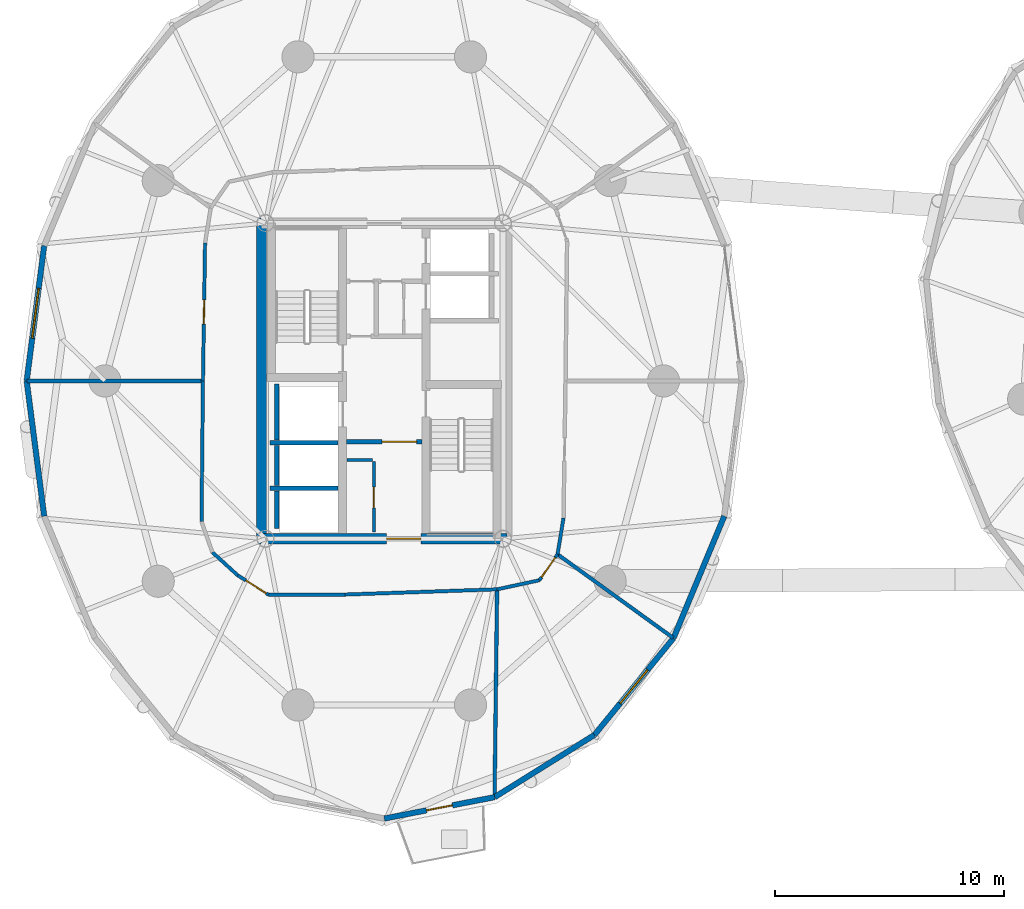
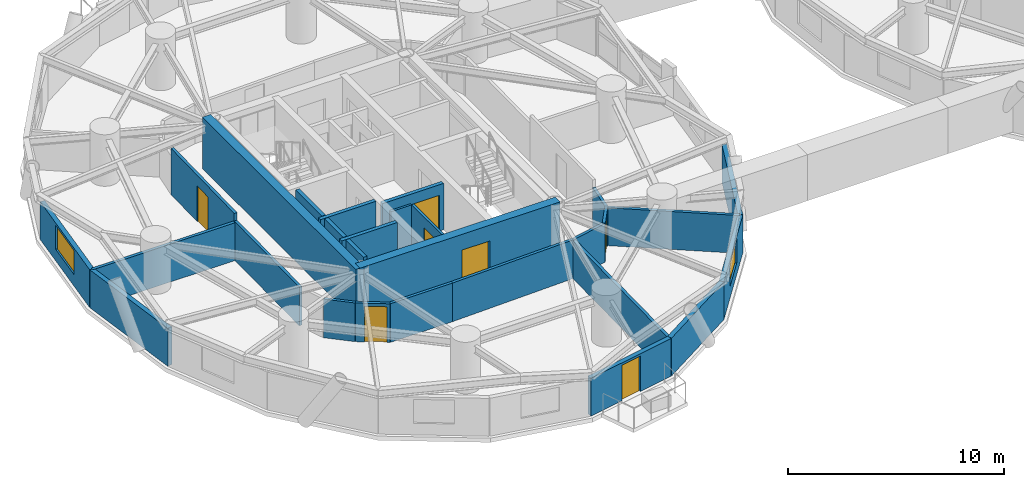
# One storey, part 10 of 18: 28 walls, 7 doors, 2 windows, 9 openings.
"""IFC4 building model written with IfcOpenShell, lengths in metres."""

from ifc_helpers import new_model, si_unit, direction, frame, frame_2d, origin, place, context, subcontext, project, spatial, rectangle, extrude, source, transform, mapped, material, layer, layer_set, type_object, element, fill, save


model = new_model("IFC4")

# Units and contexts
model_context = context("Model", 3, precision=1e-05, world=origin(), true_north=direction((0.0, 1.0)))
body_context = subcontext(model_context, "Body", "Model", "MODEL_VIEW")
ifc_project = project(units=[si_unit("LENGTHUNIT", "METRE"), si_unit("AREAUNIT", "SQUARE_METRE"), si_unit("VOLUMEUNIT", "CUBIC_METRE"), si_unit("PLANEANGLEUNIT", "RADIAN"), si_unit("MASSUNIT", "GRAM", prefix="KILO")], contexts=[model_context])

# Site, building, storey
site_placement = place(None, origin())
site = spatial("IfcSite", under=ifc_project, at=site_placement, CompositionType="ELEMENT")
building_placement = place(site_placement, origin())
building = spatial("IfcBuilding", under=site, at=building_placement, Name="Cununo Teusaquillo Station Towers", CompositionType="ELEMENT")
storey_placement = place(building_placement, frame((0.0, 0.0, 122.530029296875)))
storey = spatial("IfcBuildingStorey", under=building, at=storey_placement, Name="L39", CompositionType="ELEMENT", Elevation=122.530029296875)

# Walls
ifc_material_1 = material(Name="Concrete C50/60", Category="concrete")
ifc_layer_1 = layer(ifc_material_1, 0.199951171875)
ifc_layer_set_1 = layer_set([ifc_layer_1], Name="Concrete C50/60")
wall_type_1 = type_object("IfcWallType", Name="WL-CORE-200", PredefinedType="SHEAR", material=ifc_layer_set_1)
wall_1_placement = place(storey_placement, frame((11.52001953125, 21.800048828125, 0.0), z_axis=(0.0, 0.0, 1.0), x_axis=(1.0, 0.0, 0.0)))
element("IfcWall", 1, at=wall_1_placement, inside=storey, type_object=wall_type_1, Name="L39 Tower A Firefighting Lift Shaft South Shear Wall", PredefinedType="SHEAR", context=body_context, shape_type="SweptSolid", body=[
    extrude(rectangle(XDim=2.969970703125, YDim=0.199951171875, at=frame_2d((1.48486328125, 0.0))), origin(), (0.0, 0.0, 1.0), 2.909912109375),
])
wall_2_placement = place(storey_placement, frame((11.820068359375, 21.919921875, 0.0), z_axis=(0.0, 0.0, 1.0), x_axis=(0.0, 1.0, 0.0)))
element("IfcWall", 2, at=wall_2_placement, inside=storey, type_object=wall_type_1, Name="L39 Tower A Firefighting Lift Shaft Rear Shear Wall", PredefinedType="SHEAR", context=body_context, shape_type="SweptSolid", body=[
    extrude(rectangle(XDim=2.440185546875, YDim=0.199951171875, at=frame_2d((1.22021484375, 0.0))), origin(), (0.0, 0.0, 1.0), 2.909912109375),
])
wall_3_placement = place(storey_placement, frame((11.52001953125, 19.824951171875, 0.0), z_axis=(0.0, 0.0, 1.0), x_axis=(1.0, 0.0, 0.0)))
element("IfcWall", 3, at=wall_3_placement, inside=storey, type_object=wall_type_1, Name="L39 Tower A High-Rise Lift Hoistway Divider Shear Wall", PredefinedType="SHEAR", context=body_context, shape_type="SweptSolid", body=[
    extrude(rectangle(XDim=2.969970703125, YDim=0.199951171875, at=frame_2d((1.48486328125, 0.0))), origin(), (0.0, 0.0, 1.0), 2.909912109375),
])
wall_4_placement = place(storey_placement, frame((11.820068359375, 19.945068359375, 0.0), z_axis=(0.0, 0.0, 1.0), x_axis=(0.0, 1.0, 0.0)))
element("IfcWall", 4, at=wall_4_placement, inside=storey, type_object=wall_type_1, Name="L39 Tower A High-Rise Lift 2 Shaft Rear Shear Wall", PredefinedType="SHEAR", context=body_context, shape_type="SweptSolid", body=[
    extrude(rectangle(XDim=1.73486328125, YDim=0.199951171875, at=frame_2d((0.867431640625, 0.0))), origin(), (0.0, 0.0, 1.0), 2.909912109375),
])
wall_5_placement = place(storey_placement, frame((11.820068359375, 18.070068359375, 0.0), z_axis=(0.0, 0.0, 1.0), x_axis=(0.0, 1.0, 0.0)))
element("IfcWall", 5, at=wall_5_placement, inside=storey, type_object=wall_type_1, Name="L39 Tower A High-Rise Lift 1 Shaft Rear Shear Wall", PredefinedType="SHEAR", context=body_context, shape_type="SweptSolid", body=[
    extrude(rectangle(XDim=1.635009765625, YDim=0.199951171875, at=frame_2d((0.8173828125, 0.0))), origin(), (0.0, 0.0, 1.0), 2.909912109375),
])
ifc_material_2 = material(Name="Concrete C60/75", Category="concrete")
ifc_layer_2 = layer(ifc_material_2, 0.449951171875)
ifc_layer_set_2 = layer_set([ifc_layer_2], Name="Concrete C60/75")
wall_type_2 = type_object("IfcWallType", Name="WL-CORE-450", PredefinedType="SHEAR", material=ifc_layer_set_2)
wall_6_placement = place(storey_placement, frame((11.14990234375, 17.39990234375, 0.0), z_axis=(0.0, 0.0, 1.0), x_axis=(0.0, 1.0, 0.0)))
element("IfcWall", 6, at=wall_6_placement, inside=storey, type_object=wall_type_2, Name="L39 Tower A Core Shear Wall W", PredefinedType="SHEAR", context=body_context, shape_type="SweptSolid", body=[
    extrude(rectangle(XDim=14.2001953125, YDim=0.449951171875, at=frame_2d((7.10009765625, 0.0))), origin(), (0.0, 0.0, 1.0), 2.909912109375),
])

# Wall, opening, door
wall_7_placement = place(storey_placement, frame((11.14990234375, 17.625, 0.0), z_axis=(0.0, 0.0, 1.0), x_axis=(1.0, 0.0, 0.0)))
wall_7 = element("IfcWall", 7, at=wall_7_placement, inside=storey, type_object=wall_type_2, Name="L39 Tower A Core Shear Wall S", PredefinedType="SHEAR", context=body_context, shape_type="SweptSolid", body=[
    extrude(rectangle(XDim=10.7001953125, YDim=0.449951171875, at=frame_2d((5.35009765625, 0.0))), origin(), (0.0, 0.0, 1.0), 2.909912109375),
])
shared_shape_1 = source(origin(), body_context, "Body", "SweptSolid", [
    extrude(rectangle(XDim=1.5, YDim=2.02001953125, at=frame_2d((0.75, 1.010009765625))), frame((0.0, 0.23486328125, 0.0), z_axis=(0.0, -1.0, 0.0), x_axis=(1.0, 0.0, 0.0)), (0.0, 0.0, 1.0), 0.469970703125),
])
opening_1_placement = place(wall_7_placement, frame((5.449951171875, 0.0, 0.0)))
opening_1 = element("IfcOpeningElement", 8, at=opening_1_placement, cuts=wall_7, Name="Opening D-LB1", PredefinedType="OPENING", context=body_context, shape_type="MappedRepresentation", body=[
    mapped(shared_shape_1, transform((0.0, 0.0, 0.0), x_axis=(1.0, 0.0, 0.0), y_axis=(0.0, 1.0, 0.0), z_axis=(0.0, 0.0, 1.0), scale=1.0)),
])
ifc_material_3 = material(Name="Galvanised fire-rated hollow steel door assembly", Category="steel")
door_type_1 = type_object("IfcDoorType", Name="DR-LOBBY-1500", OperationType="DOUBLE_DOOR_SINGLE_SWING", PredefinedType="DOOR", material=ifc_material_3)
shared_shape_2 = source(origin(), body_context, "Body", "SweptSolid", [
    extrude(rectangle(XDim=1.5, YDim=2.02001953125, at=frame_2d((0.75, 1.010009765625))), frame((0.0, 0.02490234375, 0.0), z_axis=(0.0, -1.0, 0.0), x_axis=(1.0, 0.0, 0.0)), (0.0, 0.0, 1.0), 0.050048828125),
])
door_1_placement = place(opening_1_placement, origin())
door_1 = element("IfcDoor", 9, at=door_1_placement, inside=storey, type_object=door_type_1, Name="L39 Tower A South Core Lift Lobby Door", OperationType="DOUBLE_DOOR_SINGLE_SWING", OverallHeight=2.02001953125, OverallWidth=1.5, PredefinedType="DOOR", context=body_context, shape_type="MappedRepresentation", body=[
    mapped(shared_shape_2, transform((0.0, 0.0, 0.0), x_axis=(1.0, 0.0, 0.0), y_axis=(0.0, 1.0, 0.0), z_axis=(0.0, 0.0, 1.0), scale=1.0)),
])
fill(opening_1, door_1)

# Wall, opening, window
ifc_material_4 = material(Name="Precast concrete C40/50", Category="concrete")
ifc_layer_3 = layer(ifc_material_4, 0.239990234375)
ifc_layer_set_3 = layer_set([ifc_layer_3], Name="Precast concrete C40/50")
wall_type_3 = type_object("IfcWallType", Name="WL-EXT-240", PredefinedType="SOLIDWALL", material=ifc_layer_set_3)
wall_8_placement = place(storey_placement, frame((0.9189453125, 24.5, 0.0), z_axis=(0.0, 0.0, 1.0), x_axis=(0.128351991996, 0.991728675672, 0.0)))
wall_8 = element("IfcWall", 10, at=wall_8_placement, inside=storey, type_object=wall_type_3, Name="L39 Tower A Exterior Facade Wall C09", PredefinedType="SOLIDWALL", context=body_context, shape_type="SweptSolid", body=[
    extrude(rectangle(XDim=5.942138671875, YDim=0.239990234375, at=frame_2d((2.97119140625, 0.0))), origin(), (0.0, 0.0, 1.0), 2.138916015625),
])
shared_shape_3 = source(origin(), body_context, "Body", "SweptSolid", [
    extrude(rectangle(XDim=2.199951171875, YDim=1.35009765625, at=frame_2d((1.10009765625, 0.675048828125))), frame((0.0, 0.1298828125, 0.0), z_axis=(0.0, -1.0, 0.0), x_axis=(1.0, 0.0, 0.0)), (0.0, 0.0, 1.0), 0.260009765625),
])
opening_2_placement = place(wall_8_placement, frame((1.87109375, 0.0, 0.64990234375)))
opening_2 = element("IfcOpeningElement", 11, at=opening_2_placement, cuts=wall_8, Name="Opening WN-01", PredefinedType="OPENING", context=body_context, shape_type="MappedRepresentation", body=[
    mapped(shared_shape_3, transform((0.0, 0.0, 0.0), x_axis=(1.0, 0.0, 0.0), y_axis=(0.0, 1.0, 0.0), z_axis=(0.0, 0.0, 1.0), scale=1.0)),
])
ifc_material_5 = material(Name="Ceramic-fritted dark low-E double glazing", Category="glass")
window_type_1 = type_object("IfcWindowType", Name="WIN-FRIT-2200", PartitioningType="DOUBLE_PANEL_VERTICAL", PredefinedType="WINDOW", material=ifc_material_5)
shared_shape_4 = source(origin(), body_context, "Body", "SweptSolid", [
    extrude(rectangle(XDim=2.199951171875, YDim=1.35009765625, at=frame_2d((1.10009765625, 0.675048828125))), frame((0.0, 0.030029296875, 0.0), z_axis=(0.0, -1.0, 0.0), x_axis=(1.0, 0.0, 0.0)), (0.0, 0.0, 1.0), 0.06005859375),
])
window_1_placement = place(opening_2_placement, origin())
window_1 = element("IfcWindow", 12, at=window_1_placement, inside=storey, type_object=window_type_1, Name="L39 Tower A Facade Window C09", OverallHeight=1.35009765625, OverallWidth=2.199951171875, PartitioningType="DOUBLE_PANEL_VERTICAL", PredefinedType="WINDOW", context=body_context, shape_type="MappedRepresentation", body=[
    mapped(shared_shape_4, transform((0.0, 0.0, 0.0), x_axis=(1.0, 0.0, 0.0), y_axis=(0.0, 1.0, 0.0), z_axis=(0.0, 0.0, 1.0), scale=1.0)),
])
fill(opening_2, window_1)

# Wall
wall_9_placement = place(storey_placement, frame((1.681640625, 18.60693359375, 0.0), z_axis=(0.0, 0.0, 1.0), x_axis=(-0.128351991996, 0.991728675672, 0.0)))
element("IfcWall", 13, at=wall_9_placement, inside=storey, type_object=wall_type_3, Name="L39 Tower A Exterior Facade Wall C10", PredefinedType="SOLIDWALL", context=body_context, shape_type="SweptSolid", body=[
    extrude(rectangle(XDim=5.942138671875, YDim=0.239990234375, at=frame_2d((2.97119140625, 0.0))), origin(), (0.0, 0.0, 1.0), 2.138916015625),
])

# Wall, opening, door
wall_10_placement = place(storey_placement, frame((21.314697265625, 6.36328125, 0.0), z_axis=(0.0, 0.0, 1.0), x_axis=(-0.981723785992, -0.190311344954, 0.0)))
wall_10 = element("IfcWall", 14, at=wall_10_placement, inside=storey, type_object=wall_type_3, Name="L39 Tower A Exterior Facade Wall C15", PredefinedType="SOLIDWALL", context=body_context, shape_type="SweptSolid", body=[
    extrude(rectangle(XDim=4.904296875, YDim=0.239990234375, at=frame_2d((2.4521484375, 0.0))), origin(), (0.0, 0.0, 1.0), 2.138916015625),
])
shared_shape_5 = source(origin(), body_context, "Body", "SweptSolid", [
    extrude(rectangle(XDim=1.14990234375, YDim=2.0048828125, at=frame_2d((0.574951171875, 1.00244140625))), frame((0.0, 0.1298828125, 0.0), z_axis=(0.0, -1.0, 0.0), x_axis=(1.0, 0.0, 0.0)), (0.0, 0.0, 1.0), 0.260009765625),
])
opening_3_placement = place(wall_10_placement, frame((1.876953125, 0.0, 0.0)))
opening_3 = element("IfcOpeningElement", 15, at=opening_3_placement, cuts=wall_10, Name="Opening ED-03", PredefinedType="OPENING", context=body_context, shape_type="MappedRepresentation", body=[
    mapped(shared_shape_5, transform((0.0, 0.0, 0.0), x_axis=(1.0, 0.0, 0.0), y_axis=(0.0, 1.0, 0.0), z_axis=(0.0, 0.0, 1.0), scale=1.0)),
])
ifc_material_6 = material(Name="Anodised dark bronze aluminium EN AW-6063-T6", Category="aluminium")
door_type_2 = type_object("IfcDoorType", Name="DR-EXT-BAL", OperationType="NOTDEFINED", PredefinedType="DOOR", material=ifc_material_6)
shared_shape_6 = source(origin(), body_context, "Body", "SweptSolid", [
    extrude(rectangle(XDim=1.14990234375, YDim=2.0048828125, at=frame_2d((0.574951171875, 1.00244140625))), frame((0.0, 0.02490234375, 0.0), z_axis=(0.0, -1.0, 0.0), x_axis=(1.0, 0.0, 0.0)), (0.0, 0.0, 1.0), 0.050048828125),
])
door_2_placement = place(opening_3_placement, origin())
door_2 = element("IfcDoor", 16, at=door_2_placement, inside=storey, type_object=door_type_2, Name="L39 Tower A Tree Balcony Door C15", OperationType="SINGLE_SWING_LEFT", OverallHeight=2.0048828125, OverallWidth=1.14990234375, PredefinedType="DOOR", context=body_context, shape_type="MappedRepresentation", body=[
    mapped(shared_shape_6, transform((0.0, 0.0, 0.0), x_axis=(1.0, 0.0, 0.0), y_axis=(0.0, 1.0, 0.0), z_axis=(0.0, 0.0, 1.0), scale=1.0)),
])
fill(opening_3, door_2)

# Wall
wall_11_placement = place(storey_placement, frame((25.658203125, 9.072021484375, 0.0), z_axis=(0.0, 0.0, 1.0), x_axis=(-0.848520380187, -0.529162701263, 0.0)))
element("IfcWall", 17, at=wall_11_placement, inside=storey, type_object=wall_type_3, Name="L39 Tower A Exterior Facade Wall C16", PredefinedType="SOLIDWALL", context=body_context, shape_type="SweptSolid", body=[
    extrude(rectangle(XDim=5.118896484375, YDim=0.239990234375, at=frame_2d((2.5595703125, 0.0))), origin(), (0.0, 0.0, 1.0), 2.138916015625),
])

# Wall, opening, window
wall_12_placement = place(storey_placement, frame((29.105224609375, 13.291015625, 0.0), z_axis=(0.0, 0.0, 1.0), x_axis=(-0.632700781152, -0.77439635945, 0.0)))
wall_12 = element("IfcWall", 18, at=wall_12_placement, inside=storey, type_object=wall_type_3, Name="L39 Tower A Exterior Facade Wall C17", PredefinedType="SOLIDWALL", context=body_context, shape_type="SweptSolid", body=[
    extrude(rectangle(XDim=5.447998046875, YDim=0.239990234375, at=frame_2d((2.72412109375, 0.0))), origin(), (0.0, 0.0, 1.0), 2.138916015625),
])
shared_shape_7 = source(origin(), body_context, "Body", "SweptSolid", [
    extrude(rectangle(XDim=1.89990234375, YDim=1.35009765625, at=frame_2d((0.949951171875, 0.675048828125))), frame((0.0, 0.1298828125, 0.0), z_axis=(0.0, -1.0, 0.0), x_axis=(1.0, 0.0, 0.0)), (0.0, 0.0, 1.0), 0.260009765625),
])
opening_4_placement = place(wall_12_placement, frame((1.77392578125, 0.0, 0.64990234375)))
opening_4 = element("IfcOpeningElement", 19, at=opening_4_placement, cuts=wall_12, Name="Opening WN-02", PredefinedType="OPENING", context=body_context, shape_type="MappedRepresentation", body=[
    mapped(shared_shape_7, transform((0.0, 0.0, 0.0), x_axis=(1.0, 0.0, 0.0), y_axis=(0.0, 1.0, 0.0), z_axis=(0.0, 0.0, 1.0), scale=1.0)),
])
ifc_material_7 = material(Name="Operable acoustic tinted low-E double glazing", Category="glass")
window_type_2 = type_object("IfcWindowType", Name="WIN-OPER-1900", PartitioningType="DOUBLE_PANEL_VERTICAL", PredefinedType="WINDOW", material=ifc_material_7)
shared_shape_8 = source(origin(), body_context, "Body", "SweptSolid", [
    extrude(rectangle(XDim=1.89990234375, YDim=1.35009765625, at=frame_2d((0.949951171875, 0.675048828125))), frame((0.0, 0.030029296875, 0.0), z_axis=(0.0, -1.0, 0.0), x_axis=(1.0, 0.0, 0.0)), (0.0, 0.0, 1.0), 0.06005859375),
])
window_2_placement = place(opening_4_placement, origin())
window_2 = element("IfcWindow", 20, at=window_2_placement, inside=storey, type_object=window_type_2, Name="L39 Tower A Facade Window C17", OverallHeight=1.35009765625, OverallWidth=1.89990234375, PartitioningType="DOUBLE_PANEL_VERTICAL", PredefinedType="WINDOW", context=body_context, shape_type="MappedRepresentation", body=[
    mapped(shared_shape_8, transform((0.0, 0.0, 0.0), x_axis=(1.0, 0.0, 0.0), y_axis=(0.0, 1.0, 0.0), z_axis=(0.0, 0.0, 1.0), scale=1.0)),
])
fill(opening_4, window_2)

# Wall
wall_13_placement = place(storey_placement, frame((31.318359375, 18.60693359375, 0.0), z_axis=(0.0, 0.0, 1.0), x_axis=(-0.384344417632, -0.923189779317, 0.0)))
element("IfcWall", 21, at=wall_13_placement, inside=storey, type_object=wall_type_3, Name="L39 Tower A Exterior Facade Wall C18", PredefinedType="SOLIDWALL", context=body_context, shape_type="SweptSolid", body=[
    extrude(rectangle(XDim=5.75830078125, YDim=0.239990234375, at=frame_2d((2.879150390625, 0.0))), origin(), (0.0, 0.0, 1.0), 2.138916015625),
])

# Wall, opening, door
ifc_material_8 = material(Name="Fire-rated gypsum plasterboard partition assembly", Category="gypsum")
ifc_layer_4 = layer(ifc_material_8, 0.125)
ifc_layer_set_4 = layer_set([ifc_layer_4], Name="Fire-rated gypsum plasterboard partition assembly")
wall_type_4 = type_object("IfcWallType", Name="WL-PART-125", PredefinedType="PARTITIONING", material=ifc_layer_set_4)
wall_14_placement = place(storey_placement, frame((16.050048828125, 17.919921875, 0.0), z_axis=(0.0, 0.0, 1.0), x_axis=(0.0, 1.0, 0.0)))
wall_14 = element("IfcWall", 22, at=wall_14_placement, inside=storey, type_object=wall_type_4, Name="L39 Tower A South-West Tall Store East Wall", PredefinedType="PARTITIONING", context=body_context, shape_type="SweptSolid", body=[
    extrude(rectangle(XDim=3.080078125, YDim=0.125, at=frame_2d((1.5400390625, 0.0))), origin(), (0.0, 0.0, 1.0), 2.614990234375),
])
shared_shape_9 = source(origin(), body_context, "Body", "SweptSolid", [
    extrude(rectangle(XDim=0.89990234375, YDim=2.0048828125, at=frame_2d((0.449951171875, 1.00244140625))), frame((0.0, 0.072509765625, 0.0), z_axis=(0.0, -1.0, 0.0), x_axis=(1.0, 0.0, 0.0)), (0.0, 0.0, 1.0), 0.14501953125),
])
opening_5_placement = place(wall_14_placement, frame((1.050048828125, 0.0, 0.0)))
opening_5 = element("IfcOpeningElement", 23, at=opening_5_placement, cuts=wall_14, Name="Opening D-SR1", PredefinedType="OPENING", context=body_context, shape_type="MappedRepresentation", body=[
    mapped(shared_shape_9, transform((0.0, 0.0, 0.0), x_axis=(1.0, 0.0, 0.0), y_axis=(0.0, 1.0, 0.0), z_axis=(0.0, 0.0, 1.0), scale=1.0)),
])
ifc_material_9 = material(Name="Galvanised fire-rated hollow steel door assembly", Category="steel")
door_type_3 = type_object("IfcDoorType", Name="DR-STORE-900", OperationType="NOTDEFINED", PredefinedType="DOOR", material=ifc_material_9)
shared_shape_10 = source(origin(), body_context, "Body", "SweptSolid", [
    extrude(rectangle(XDim=0.89990234375, YDim=2.0048828125, at=frame_2d((0.449951171875, 1.00244140625))), frame((0.0, 0.02490234375, 0.0), z_axis=(0.0, -1.0, 0.0), x_axis=(1.0, 0.0, 0.0)), (0.0, 0.0, 1.0), 0.050048828125),
])
door_3_placement = place(opening_5_placement, origin())
door_3 = element("IfcDoor", 24, at=door_3_placement, inside=storey, type_object=door_type_3, Name="L39 Tower A South Cleaners Store Door", OperationType="SINGLE_SWING_RIGHT", OverallHeight=2.0048828125, OverallWidth=0.89990234375, PredefinedType="DOOR", context=body_context, shape_type="MappedRepresentation", body=[
    mapped(shared_shape_10, transform((0.0, 0.0, 0.0), x_axis=(1.0, 0.0, 0.0), y_axis=(0.0, 1.0, 0.0), z_axis=(0.0, 0.0, 1.0), scale=1.0)),
])
fill(opening_5, door_3)

# Wall
wall_15_placement = place(storey_placement, frame((14.8798828125, 21.050048828125, 0.0), z_axis=(0.0, 0.0, 1.0), x_axis=(1.0, 0.0, 0.0)))
element("IfcWall", 25, at=wall_15_placement, inside=storey, type_object=wall_type_4, Name="L39 Tower A South-West Tall Store North Wall", PredefinedType="PARTITIONING", context=body_context, shape_type="SweptSolid", body=[
    extrude(rectangle(XDim=1.10009765625, YDim=0.125, at=frame_2d((0.550048828125, 0.0))), origin(), (0.0, 0.0, 1.0), 2.614990234375),
])

# Wall, opening, door
ifc_material_10 = material(Name="Fire-rated gypsum plasterboard partition assembly", Category="gypsum")
ifc_layer_5 = layer(ifc_material_10, 0.14990234375)
ifc_layer_set_5 = layer_set([ifc_layer_5], Name="Fire-rated gypsum plasterboard partition assembly")
wall_type_5 = type_object("IfcWallType", Name="WL-PART-150", PredefinedType="PARTITIONING", material=ifc_layer_set_5)
wall_16_placement = place(storey_placement, frame((8.692626953125, 30.51171875, 0.0), z_axis=(0.0, 0.0, 1.0), x_axis=(-0.015389665197, -0.99988157209, 0.0)))
wall_16 = element("IfcWall", 26, at=wall_16_placement, inside=storey, type_object=wall_type_5, Name="L39 Tower A Corridor Ring Wall C09", PredefinedType="PARTITIONING", context=body_context, shape_type="SweptSolid", body=[
    extrude(rectangle(XDim=6.012451171875, YDim=0.14990234375, at=frame_2d((3.00634765625, 0.0))), origin(), (0.0, 0.0, 1.0), 2.614990234375),
])
shared_shape_11 = source(origin(), body_context, "Body", "SweptSolid", [
    extrude(rectangle(XDim=1.050048828125, YDim=2.014892578125, at=frame_2d((0.52490234375, 1.00732421875))), frame((0.0, 0.0849609375, 0.0), z_axis=(0.0, -1.0, 0.0), x_axis=(1.0, 0.0, 0.0)), (0.0, 0.0, 1.0), 0.169921875),
])
opening_6_placement = place(wall_16_placement, frame((2.481201171875, 0.0, 0.0)))
opening_6 = element("IfcOpeningElement", 27, at=opening_6_placement, cuts=wall_16, Name="Opening D-SU1", PredefinedType="OPENING", context=body_context, shape_type="MappedRepresentation", body=[
    mapped(shared_shape_11, transform((0.0, 0.0, 0.0), x_axis=(1.0, 0.0, 0.0), y_axis=(0.0, 1.0, 0.0), z_axis=(0.0, 0.0, 1.0), scale=1.0)),
])
ifc_material_11 = material(Name="Acoustic solid-core hardwood leaf assembly", Category="wood")
door_type_4 = type_object("IfcDoorType", Name="DR-SUITE-1050", OperationType="NOTDEFINED", PredefinedType="DOOR", material=ifc_material_11)
shared_shape_12 = source(origin(), body_context, "Body", "SweptSolid", [
    extrude(rectangle(XDim=1.050048828125, YDim=2.014892578125, at=frame_2d((0.52490234375, 1.00732421875))), frame((0.0, 0.02490234375, 0.0), z_axis=(0.0, -1.0, 0.0), x_axis=(1.0, 0.0, 0.0)), (0.0, 0.0, 1.0), 0.050048828125),
])
door_4_placement = place(opening_6_placement, origin())
door_4 = element("IfcDoor", 28, at=door_4_placement, inside=storey, type_object=door_type_4, Name="L39 Tower A Podcast & Interview Booth Entrance Door", OperationType="SINGLE_SWING_LEFT", OverallHeight=2.014892578125, OverallWidth=1.050048828125, PredefinedType="DOOR", context=body_context, shape_type="MappedRepresentation", body=[
    mapped(shared_shape_12, transform((0.0, 0.0, 0.0), x_axis=(1.0, 0.0, 0.0), y_axis=(0.0, 1.0, 0.0), z_axis=(0.0, 0.0, 1.0), scale=1.0)),
])
fill(opening_6, door_4)

# Walls
wall_17_placement = place(storey_placement, frame((8.60009765625, 24.5, 0.0), z_axis=(0.0, 0.0, 1.0), x_axis=(-0.010076760723, -0.999949228158, 0.0)))
element("IfcWall", 29, at=wall_17_placement, inside=storey, type_object=wall_type_5, Name="L39 Tower A Corridor Ring Wall C10", PredefinedType="PARTITIONING", context=body_context, shape_type="SweptSolid", body=[
    extrude(rectangle(XDim=6.129638671875, YDim=0.14990234375, at=frame_2d((3.06494140625, 0.0))), origin(), (0.0, 0.0, 1.0), 2.18505859375),
])
wall_18_placement = place(storey_placement, frame((9.01025390625, 17.034423828125, 0.0), z_axis=(0.0, 0.0, 1.0), x_axis=(0.739733009791, -0.672900493554, 0.0)))
element("IfcWall", 30, at=wall_18_placement, inside=storey, type_object=wall_type_5, Name="L39 Tower A Corridor Ring Wall C12", PredefinedType="PARTITIONING", context=body_context, shape_type="SweptSolid", body=[
    extrude(rectangle(XDim=1.494140625, YDim=0.14990234375, at=frame_2d((0.7470703125, 0.0))), origin(), (0.0, 0.0, 1.0), 2.18505859375),
])

# Wall, opening, door
wall_19_placement = place(storey_placement, frame((10.115478515625, 16.029052734375, 0.0), z_axis=(0.0, 0.0, 1.0), x_axis=(0.844897677802, -0.534927952201, 0.0)))
wall_19 = element("IfcWall", 31, at=wall_19_placement, inside=storey, type_object=wall_type_5, Name="L39 Tower A Corridor Ring Wall C13", PredefinedType="PARTITIONING", context=body_context, shape_type="SweptSolid", body=[
    extrude(rectangle(XDim=1.591064453125, YDim=0.14990234375, at=frame_2d((0.79541015625, 0.0))), origin(), (0.0, 0.0, 1.0), 2.18505859375),
])
opening_7_placement = place(wall_19_placement, frame((0.421142578125, 0.0, 0.0)))
opening_7 = element("IfcOpeningElement", 32, at=opening_7_placement, cuts=wall_19, Name="Opening D-SU1", PredefinedType="OPENING", context=body_context, shape_type="MappedRepresentation", body=[
    mapped(shared_shape_11, transform((0.0, 0.0, 0.0), x_axis=(1.0, 0.0, 0.0), y_axis=(0.0, 1.0, 0.0), z_axis=(0.0, 0.0, 1.0), scale=1.0)),
])
door_5_placement = place(opening_7_placement, origin())
door_5 = element("IfcDoor", 33, at=door_5_placement, inside=storey, type_object=door_type_4, Name="L39 Tower A Civic Innovation Auditorium Hall Entrance Door", OperationType="SINGLE_SWING_RIGHT", OverallHeight=2.014892578125, OverallWidth=1.050048828125, PredefinedType="DOOR", context=body_context, shape_type="MappedRepresentation", body=[
    mapped(shared_shape_12, transform((0.0, 0.0, 0.0), x_axis=(1.0, 0.0, 0.0), y_axis=(0.0, 1.0, 0.0), z_axis=(0.0, 0.0, 1.0), scale=1.0)),
])
fill(opening_7, door_5)

# Walls
wall_20_placement = place(storey_placement, frame((11.459716796875, 15.177978515625, 0.0), z_axis=(0.0, 0.0, 1.0), x_axis=(0.999992694689, 0.003822377251, 0.0)))
element("IfcWall", 34, at=wall_20_placement, inside=storey, type_object=wall_type_5, Name="L39 Tower A Corridor Ring Wall C14", PredefinedType="PARTITIONING", context=body_context, shape_type="SweptSolid", body=[
    extrude(rectangle(XDim=3.3212890625, YDim=0.14990234375, at=frame_2d((1.66064453125, 0.0))), origin(), (0.0, 0.0, 1.0), 2.18505859375),
])
wall_21_placement = place(storey_placement, frame((14.781005859375, 15.190673828125, 0.0), z_axis=(0.0, 0.0, 1.0), x_axis=(0.999412963972, 0.034259705842, 0.0)))
element("IfcWall", 35, at=wall_21_placement, inside=storey, type_object=wall_type_5, Name="L39 Tower A Corridor Ring Wall C15", PredefinedType="PARTITIONING", context=body_context, shape_type="SweptSolid", body=[
    extrude(rectangle(XDim=6.6416015625, YDim=0.14990234375, at=frame_2d((3.32080078125, 0.0))), origin(), (0.0, 0.0, 1.0), 2.18505859375),
])
wall_22_placement = place(storey_placement, frame((21.418701171875, 15.418212890625, 0.0), z_axis=(0.0, 0.0, 1.0), x_axis=(0.977540384091, 0.210748184977, 0.0)))
element("IfcWall", 36, at=wall_22_placement, inside=storey, type_object=wall_type_5, Name="L39 Tower A Corridor Ring Wall C16", PredefinedType="PARTITIONING", context=body_context, shape_type="SweptSolid", body=[
    extrude(rectangle(XDim=1.88720703125, YDim=0.14990234375, at=frame_2d((0.943603515625, 0.0))), origin(), (0.0, 0.0, 1.0), 2.18505859375),
])

# Wall, opening, door
wall_23_placement = place(storey_placement, frame((23.263427734375, 15.81591796875, 0.0), z_axis=(0.0, 0.0, 1.0), x_axis=(0.572652947117, 0.819797903241, 0.0)))
wall_23 = element("IfcWall", 37, at=wall_23_placement, inside=storey, type_object=wall_type_5, Name="L39 Tower A Corridor Ring Wall C17", PredefinedType="PARTITIONING", context=body_context, shape_type="SweptSolid", body=[
    extrude(rectangle(XDim=1.376953125, YDim=0.14990234375, at=frame_2d((0.6884765625, 0.0))), origin(), (0.0, 0.0, 1.0), 2.18505859375),
])
opening_8_placement = place(wall_23_placement, frame((0.158203125, 0.0, 0.0)))
opening_8 = element("IfcOpeningElement", 38, at=opening_8_placement, cuts=wall_23, Name="Opening D-SU1", PredefinedType="OPENING", context=body_context, shape_type="MappedRepresentation", body=[
    mapped(shared_shape_11, transform((0.0, 0.0, 0.0), x_axis=(1.0, 0.0, 0.0), y_axis=(0.0, 1.0, 0.0), z_axis=(0.0, 0.0, 1.0), scale=1.0)),
])
door_6_placement = place(opening_8_placement, origin())
door_6 = element("IfcDoor", 39, at=door_6_placement, inside=storey, type_object=door_type_4, Name="L39 Tower A Event Catering Pantry Entrance Door", OperationType="SINGLE_SWING_LEFT", OverallHeight=2.014892578125, OverallWidth=1.050048828125, PredefinedType="DOOR", context=body_context, shape_type="MappedRepresentation", body=[
    mapped(shared_shape_12, transform((0.0, 0.0, 0.0), x_axis=(1.0, 0.0, 0.0), y_axis=(0.0, 1.0, 0.0), z_axis=(0.0, 0.0, 1.0), scale=1.0)),
])
fill(opening_8, door_6)

# Walls
wall_24_placement = place(storey_placement, frame((24.052001953125, 16.94482421875, 0.0), z_axis=(0.0, 0.0, 1.0), x_axis=(0.162869842843, 0.986647563364, 0.0)))
element("IfcWall", 40, at=wall_24_placement, inside=storey, type_object=wall_type_5, Name="L39 Tower A Corridor Ring Wall C18", PredefinedType="PARTITIONING", context=body_context, shape_type="SweptSolid", body=[
    extrude(rectangle(XDim=1.60546875, YDim=0.14990234375, at=frame_2d((0.802734375, 0.0))), origin(), (0.0, 0.0, 1.0), 2.18505859375),
])
ifc_material_12 = material(Name="Fire-rated gypsum plasterboard partition assembly", Category="gypsum")
ifc_layer_6 = layer(ifc_material_12, 0.159912109375)
ifc_layer_set_6 = layer_set([ifc_layer_6], Name="Fire-rated gypsum plasterboard partition assembly")
wall_type_6 = type_object("IfcWallType", Name="WL-PART-160", PredefinedType="PARTITIONING", material=ifc_layer_set_6)
wall_25_placement = place(storey_placement, frame((8.60009765625, 24.5, 0.0), z_axis=(0.0, 0.0, 1.0), x_axis=(-1.0, 0.0, 0.0)))
element("IfcWall", 41, at=wall_25_placement, inside=storey, type_object=wall_type_6, Name="L39 Tower A Radial Suite Partition R04", PredefinedType="PARTITIONING", context=body_context, shape_type="SweptSolid", body=[
    extrude(rectangle(XDim=7.6611328125, YDim=0.159912109375, at=frame_2d((3.83056640625, 0.0))), origin(), (0.0, 0.0, 1.0), 2.138916015625),
])
wall_26_placement = place(storey_placement, frame((21.418701171875, 15.418212890625, 0.0), z_axis=(0.0, 0.0, 1.0), x_axis=(-0.012184661849, -0.999925764252, 0.0)))
element("IfcWall", 42, at=wall_26_placement, inside=storey, type_object=wall_type_6, Name="L39 Tower A Radial Suite Partition R05", PredefinedType="PARTITIONING", context=body_context, shape_type="SweptSolid", body=[
    extrude(rectangle(XDim=9.03662109375, YDim=0.159912109375, at=frame_2d((4.518310546875, 0.0))), origin(), (0.0, 0.0, 1.0), 2.138916015625),
])
wall_27_placement = place(storey_placement, frame((24.052001953125, 16.94482421875, 0.0), z_axis=(0.0, 0.0, 1.0), x_axis=(0.810360113077, -0.58593215233, 0.0)))
element("IfcWall", 43, at=wall_27_placement, inside=storey, type_object=wall_type_6, Name="L39 Tower A Radial Suite Partition R06", PredefinedType="PARTITIONING", context=body_context, shape_type="SweptSolid", body=[
    extrude(rectangle(XDim=6.2158203125, YDim=0.159912109375, at=frame_2d((3.10791015625, 0.0))), origin(), (0.0, 0.0, 1.0), 2.138916015625),
])

# Wall, opening, door
ifc_material_13 = material(Name="Fire-rated gypsum plasterboard partition assembly", Category="gypsum")
ifc_layer_7 = layer(ifc_material_13, 0.199951171875)
ifc_layer_set_7 = layer_set([ifc_layer_7], Name="Fire-rated gypsum plasterboard partition assembly")
wall_type_7 = type_object("IfcWallType", Name="WL-PART-200", PredefinedType="PARTITIONING", material=ifc_layer_set_7)
wall_28_placement = place(storey_placement, frame((14.860107421875, 21.85009765625, 0.0), z_axis=(0.0, 0.0, 1.0), x_axis=(1.0, 0.0, 0.0)))
wall_28 = element("IfcWall", 44, at=wall_28_placement, inside=storey, type_object=wall_type_7, Name="L39 Tower A Firefighting Lift Lobby South Fire Wall", PredefinedType="PARTITIONING", context=body_context, shape_type="SweptSolid", body=[
    extrude(rectangle(XDim=3.27978515625, YDim=0.199951171875, at=frame_2d((1.639892578125, 0.0))), origin(), (0.0, 0.0, 1.0), 2.614990234375),
])
shared_shape_13 = source(origin(), body_context, "Body", "SweptSolid", [
    extrude(rectangle(XDim=1.5, YDim=2.02001953125, at=frame_2d((0.75, 1.010009765625))), frame((0.0, 0.10986328125, 0.0), z_axis=(0.0, -1.0, 0.0), x_axis=(1.0, 0.0, 0.0)), (0.0, 0.0, 1.0), 0.219970703125),
])
opening_9_placement = place(wall_28_placement, frame((1.550048828125, 0.0, 0.0)))
opening_9 = element("IfcOpeningElement", 45, at=opening_9_placement, cuts=wall_28, Name="Opening D-LB1", PredefinedType="OPENING", context=body_context, shape_type="MappedRepresentation", body=[
    mapped(shared_shape_13, transform((0.0, 0.0, 0.0), x_axis=(1.0, 0.0, 0.0), y_axis=(0.0, 1.0, 0.0), z_axis=(0.0, 0.0, 1.0), scale=1.0)),
])
door_7_placement = place(opening_9_placement, origin())
door_7 = element("IfcDoor", 46, at=door_7_placement, inside=storey, type_object=door_type_1, Name="L39 Tower A Firefighting Lift Lobby South Fire Door", OperationType="DOUBLE_DOOR_SINGLE_SWING", OverallHeight=2.02001953125, OverallWidth=1.5, PredefinedType="DOOR", context=body_context, shape_type="MappedRepresentation", body=[
    mapped(shared_shape_2, transform((0.0, 0.0, 0.0), x_axis=(1.0, 0.0, 0.0), y_axis=(0.0, 1.0, 0.0), z_axis=(0.0, 0.0, 1.0), scale=1.0)),
])
fill(opening_9, door_7)

save(model, "model.ifc")
